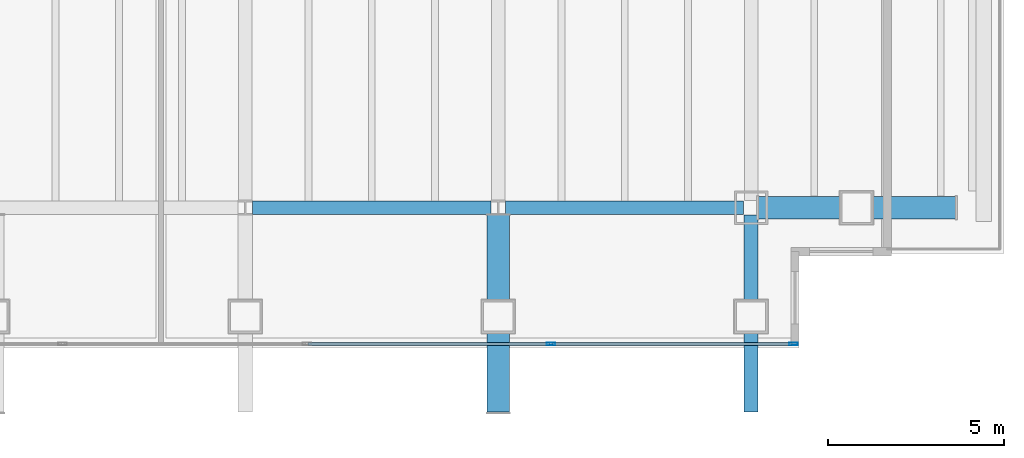
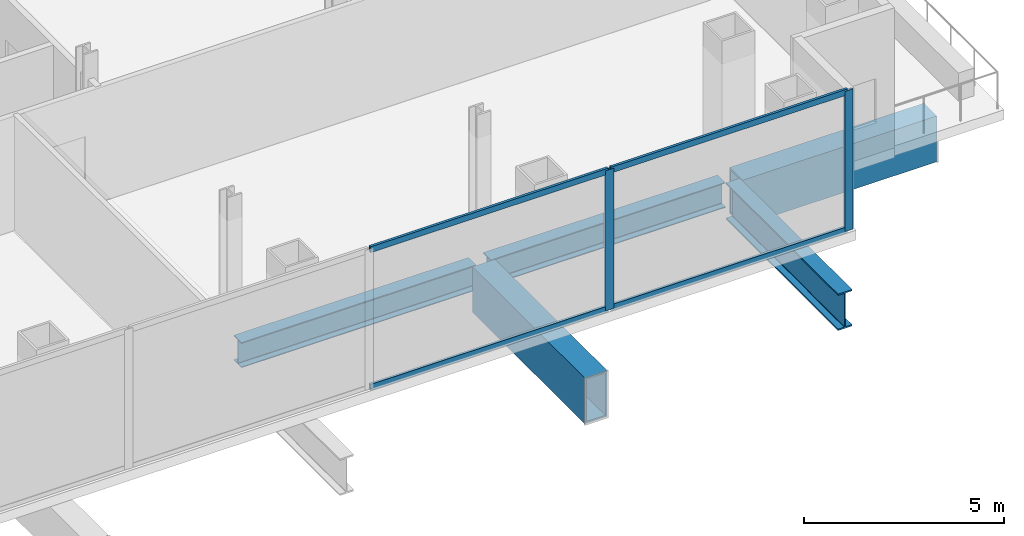
# One storey, part 6 of 16: 6 members, 5 beams, 1 element without a shape of its own.
"""IFC4 building model written with IfcOpenShell, lengths in metres."""

import ifcopenshell
import ifcopenshell.guid

model = None  # the IFC model being written
_history = None  # IfcOwnerHistory: only IFC2X3 demands one
_inside = {}  # id of a spatial element -> (the spatial element, [elements in it])
_under = {}  # id of a project, library or spatial element -> (it, [spatial elements below it])
_declared = {}  # id of a project -> (the project, [libraries it declares])
_typed = {}  # id of a type object -> (the type object, [elements of that type])
_made_of = {}  # id of a material, layer set ... -> (it, [elements and type objects made of it])


def new_model(schema):
    """Start an empty IFC model of exactly this schema.

    Asked for "IFC4X3", IfcOpenShell would pick the latest addendum, in which some entities
    have other attributes; the version numbers below select the first issue.
    IFC2X3 requires an IfcOwnerHistory on every rooted entity: one is made here for all.
    """
    global model, _history
    if schema == "IFC4X3":
        model = ifcopenshell.file(schema_version=(4, 3, 0, 0))
    else:
        model = ifcopenshell.file(schema=schema)
    _inside.clear()
    _under.clear()
    _declared.clear()
    _typed.clear()
    _made_of.clear()
    _history = None
    if model.schema == "IFC2X3":
        org = make("IfcOrganization", Name="unknown")
        user = make(
            "IfcPersonAndOrganization",
            ThePerson=make("IfcPerson", FamilyName="unknown"),
            TheOrganization=org,
        )
        app = make(
            "IfcApplication",
            ApplicationDeveloper=org,
            Version="unknown",
            ApplicationFullName="unknown",
            ApplicationIdentifier="unknown",
        )
        _history = make(
            "IfcOwnerHistory",
            OwningUser=user,
            OwningApplication=app,
            ChangeAction="ADDED",
            CreationDate=0,
        )
    return model


def make(cls, **values):
    """One entity of the class cls with the attributes given. An attribute that is None is left unset."""
    return model.create_entity(
        cls, **{name: value for name, value in values.items() if value is not None}
    )


def rooted(cls, **values):
    """An entity with a GlobalId (a new one), such as an element, a storey or a relation."""
    return make(cls, GlobalId=ifcopenshell.guid.new(), OwnerHistory=_history, **values)


def si_unit(unit_type, name, prefix=None):
    """IfcSIUnit, for example si_unit("LENGTHUNIT", "METRE", prefix="MILLI")."""
    return make("IfcSIUnit", UnitType=unit_type, Prefix=prefix, Name=name)


def assignment(units):
    """IfcUnitAssignment: the units of a project."""
    return None if units is None else make("IfcUnitAssignment", Units=units)


def point(xyz):
    """IfcCartesianPoint."""
    return None if xyz is None else make("IfcCartesianPoint", Coordinates=xyz)


def direction(xyz):
    """IfcDirection."""
    return None if xyz is None else make("IfcDirection", DirectionRatios=xyz)


def frame(location, z_axis=None, x_axis=None):
    """IfcAxis2Placement3D, a coordinate frame: its origin and axes. An axis left out is left unset."""
    return make(
        "IfcAxis2Placement3D",
        Location=point(location),
        Axis=direction(z_axis),
        RefDirection=direction(x_axis),
    )


def frame_2d(location, x_axis=None):
    """IfcAxis2Placement2D, a coordinate frame in the plane: its origin and x axis."""
    return make(
        "IfcAxis2Placement2D", Location=point(location), RefDirection=direction(x_axis)
    )


def origin():
    """The frame at (0, 0, 0) with its axes left unset."""
    return frame((0.0, 0.0, 0.0))


def origin_2d():
    """The frame at (0, 0) in the plane with its x axis left unset."""
    return frame_2d((0.0, 0.0))


def place(relative_to, where):
    """IfcLocalPlacement: puts the frame where relative to a parent placement (None: the world)."""
    return make(
        "IfcLocalPlacement", PlacementRelTo=relative_to, RelativePlacement=where
    )


def context(
    kind, dimensions, precision=None, world=None, true_north=None, identifier=None
):
    """IfcGeometricRepresentationContext, for example the 3D "Model" context."""
    return make(
        "IfcGeometricRepresentationContext",
        ContextIdentifier=identifier,
        ContextType=kind,
        CoordinateSpaceDimension=dimensions,
        Precision=precision,
        WorldCoordinateSystem=world,
        TrueNorth=true_north,
    )


def subcontext(parent, identifier, kind, view, scale=None):
    """IfcGeometricRepresentationSubContext, for example "Body" below "Model"."""
    return make(
        "IfcGeometricRepresentationSubContext",
        ContextIdentifier=identifier,
        ContextType=kind,
        ParentContext=parent,
        TargetScale=scale,
        TargetView=view,
    )


def project(units=None, contexts=None):
    """IfcProject with its units and contexts."""
    return rooted(
        "IfcProject",
        Name="project",
        RepresentationContexts=contexts,
        UnitsInContext=assignment(units),
    )


def spatial(cls, under=None, at=None, **own):
    """A site, building, storey or space (cls), placed at a placement, below another one or the project."""
    s = rooted(cls, ObjectPlacement=at, **own)
    if under is not None:
        _under.setdefault(under.id(), (under, []))[1].append(s)
    return s


def profile(cls, at=None, kind="AREA", **sizes):
    """A parametric profile (cls). Its sizes go by their IFC names, for example OverallWidth=200.0."""
    return make(cls, ProfileType=kind, Position=at, **sizes)


def hollow_rectangle(**sizes):
    """IfcRectangleHollowProfileDef."""
    return profile("IfcRectangleHollowProfileDef", **sizes)


def i_section(**sizes):
    """IfcIShapeProfileDef."""
    return profile("IfcIShapeProfileDef", **sizes)


def extrude(swept, where, along, depth):
    """IfcExtrudedAreaSolid: the profile swept, set in the frame where, extruded along a direction by depth."""
    return make(
        "IfcExtrudedAreaSolid",
        SweptArea=swept,
        Position=where,
        ExtrudedDirection=direction(along),
        Depth=depth,
    )


def shape(context_of_items, identifier, shape_type, items):
    """IfcShapeRepresentation: the items that make up one representation, for example the "Body"."""
    return make(
        "IfcShapeRepresentation",
        ContextOfItems=context_of_items,
        RepresentationIdentifier=identifier,
        RepresentationType=shape_type,
        Items=items,
    )


def material(Name=None, Category=None):
    """IfcMaterial."""
    return make("IfcMaterial", Name=Name, Category=Category)


def material_profile(
    of_material, cross_section, Name=None, Category=None, Priority=None
):
    """IfcMaterialProfile: a cross section and its material."""
    return make(
        "IfcMaterialProfile",
        Name=Name,
        Material=of_material,
        Profile=cross_section,
        Priority=Priority,
        Category=Category,
    )


def profile_set(profiles, Name=None, composite=None):
    """IfcMaterialProfileSet."""
    return make(
        "IfcMaterialProfileSet",
        Name=Name,
        MaterialProfiles=profiles,
        CompositeProfile=composite,
    )


def made_of(thing, what):
    """Note that an element or type object is made of a material, layer set ...; save() writes the relation."""
    if what is not None:
        _made_of.setdefault(what.id(), (what, []))[1].append(thing)
    return thing


def type_object(cls, material=None, **own):
    """A type object (cls), such as IfcWallType, which elements share."""
    return made_of(rooted(cls, **own), material)


def element(
    cls,
    number,
    at=None,
    inside=None,
    cuts=None,
    type_object=None,
    material=None,
    context=None,
    identifier="Body",
    shape_type=None,
    held_by="IfcProductDefinitionShape",
    body=None,
    shapes=None,
    **own,
):
    """One element of the class cls, such as IfcWall. Its Tag is "e" and its number.

    at: its placement. inside: the storey or other place that contains it. cuts: it is an
    opening in that element (IfcRelVoidsElement). A single representation is given by context,
    identifier, shape_type and body (its items); several are given by shapes. held_by: the class
    of the entity that holds the representations. save() writes the other relations.
    """
    e = rooted(cls, Tag="e%d" % number, ObjectPlacement=at, **own)
    if body is not None:
        shapes = [shape(context, identifier, shape_type, body)]
    if shapes is not None:
        e.Representation = make(held_by, Representations=shapes)
    if inside is not None:
        _inside.setdefault(inside.id(), (inside, []))[1].append(e)
    if cuts is not None:
        rooted(
            "IfcRelVoidsElement", RelatingBuildingElement=cuts, RelatedOpeningElement=e
        )
    if type_object is not None:
        _typed.setdefault(type_object.id(), (type_object, []))[1].append(e)
    return made_of(e, material)


def aggregate(whole, parts):
    """IfcRelAggregates: a whole, such as a stair, and the parts it consists of."""
    return rooted("IfcRelAggregates", RelatingObject=whole, RelatedObjects=parts)


def save(model, path):
    """Write the relations noted so far, then the file.

    IfcRelAggregates (storeys below a building ...), IfcRelContainedInSpatialStructure (elements
    in a storey), IfcRelDefinesByType, IfcRelAssociatesMaterial and IfcRelDeclares: one each for
    every whole, place, type object, material and project.
    """
    for whole, parts in _under.values():
        aggregate(whole, parts)
    for where, things in _inside.values():
        rooted(
            "IfcRelContainedInSpatialStructure",
            RelatedElements=things,
            RelatingStructure=where,
        )
    for kind, things in _typed.values():
        rooted("IfcRelDefinesByType", RelatedObjects=things, RelatingType=kind)
    for what, things in _made_of.values():
        rooted("IfcRelAssociatesMaterial", RelatedObjects=things, RelatingMaterial=what)
    for by, libraries in _declared.values():
        rooted("IfcRelDeclares", RelatingContext=by, RelatedDefinitions=libraries)
    model.write(path)


model = new_model("IFC4")

# Units and contexts
model_context = context("Model", 3, precision=1e-05, world=origin(), true_north=direction((0.0, 1.0)))
body_context = subcontext(model_context, "Body", "Model", "MODEL_VIEW")
ifc_project = project(units=[si_unit("LENGTHUNIT", "METRE"), si_unit("AREAUNIT", "SQUARE_METRE"), si_unit("VOLUMEUNIT", "CUBIC_METRE"), si_unit("PLANEANGLEUNIT", "RADIAN"), si_unit("MASSUNIT", "GRAM", prefix="KILO")], contexts=[model_context])

# Site, building, storey
site_placement = place(None, origin())
site = spatial("IfcSite", under=ifc_project, at=site_placement, CompositionType="ELEMENT")
building_placement = place(site_placement, origin())
building = spatial("IfcBuilding", under=site, at=building_placement, Name="Cobrela Telecom Tower", CompositionType="ELEMENT")
storey_placement = place(building_placement, frame((0.0, 0.0, 97.64990234375)))
storey = spatial("IfcBuildingStorey", under=building, at=storey_placement, Name="L24", CompositionType="ELEMENT", Elevation=97.64990234375)

# Beams
ifc_material_1 = material(Name="Steel ASTM A992 Grade 50", Category="steel")
ifc_material_profile_1 = material_profile(ifc_material_1, i_section(OverallWidth=0.381103515625, OverallDepth=0.77197265625, WebThickness=0.0166015625, FlangeThickness=0.027099609375, FilletRadius=0.01904296875, at=origin_2d()), Name="W30X173")
ifc_profile_set_1 = profile_set([ifc_material_profile_1], Name="Steel ASTM A992 Grade 50")
beam_type_1 = type_object("IfcBeamType", Name="BM-GIRD-04", PredefinedType="USERDEFINED", material=ifc_profile_set_1)
for number, where, z_axis, x_axis, name in (
    (1, (29.009521484375, 7.199951171875, -0.685791015625), (1.0, 0.0, 0.0), (0.0, 1.0, 0.0), "L24 Primary Girder X05"),
    (2, (36.20947265625, 7.199951171875, -0.685791015625), (1.0, 0.0, 0.0), (0.0, 1.0, 0.0), "L24 Primary Girder X06"),
):
    element("IfcBeam", number, at=place(storey_placement, frame(where, z_axis=z_axis, x_axis=x_axis)), inside=storey, type_object=beam_type_1, Name=name, ObjectType="GIRDER", PredefinedType="USERDEFINED", context=body_context, shape_type="SweptSolid", body=[
        extrude(i_section(OverallWidth=0.381103515625, OverallDepth=0.77197265625, WebThickness=0.0166015625, FlangeThickness=0.027099609375, FilletRadius=0.01904296875, at=origin_2d()), origin(), (0.0, 0.0, 1.0), 6.781005859375),
    ])
ifc_material_2 = material(Name="Steel ASTM A572 Grade 50", Category="steel")
ifc_material_profile_2 = material_profile(ifc_material_2, hollow_rectangle(XDim=0.64990234375, YDim=1.39990234375, WallThickness=0.054931640625, at=origin_2d()), Name="BOX 1400x650x55")
ifc_profile_set_2 = profile_set([ifc_material_profile_2], Name="Steel ASTM A572 Grade 50")
beam_type_2 = type_object("IfcBeamType", Name="BM-TRG-1400", PredefinedType="USERDEFINED", material=ifc_profile_set_2)
for number, where, z_axis, x_axis, name in (
    (3, (36.0, 1.3798828125, -1.0), (0.0, 1.0, 0.0), (-1.0, 0.0, 0.0), "L24 Transfer Girder 07"),
    (4, (43.409423828125, 7.199951171875, -1.0), (1.0, 0.0, 0.0), (0.0, 1.0, 0.0), "L24 Transfer Girder 09"),
):
    element("IfcBeam", number, at=place(storey_placement, frame(where, z_axis=z_axis, x_axis=x_axis)), inside=storey, type_object=beam_type_2, Name=name, ObjectType="GIRDER", PredefinedType="USERDEFINED", context=body_context, shape_type="SweptSolid", body=[
        extrude(hollow_rectangle(XDim=0.64990234375, YDim=1.39990234375, WallThickness=0.054931640625, at=origin_2d()), origin(), (0.0, 0.0, 1.0), 5.610595703125),
    ])
ifc_material_profile_3 = material_profile(ifc_material_1, i_section(OverallWidth=0.404052734375, OverallDepth=1.117919921875, WebThickness=0.02587890625, FlangeThickness=0.044921875, FilletRadius=0.02490234375, at=origin_2d()), Name="W44X335")
ifc_profile_set_3 = profile_set([ifc_material_profile_3], Name="Steel ASTM A992 Grade 50")
beam_type_3 = type_object("IfcBeamType", Name="BM-TRG-W44", PredefinedType="USERDEFINED", material=ifc_profile_set_3)
beam_placement = place(storey_placement, frame((43.199951171875, 1.3798828125, -0.85888671875), z_axis=(0.0, 1.0, 0.0), x_axis=(-1.0, 0.0, 0.0)))
element("IfcBeam", 5, at=beam_placement, inside=storey, type_object=beam_type_3, Name="L24 Transfer Girder 08", ObjectType="GIRDER", PredefinedType="USERDEFINED", context=body_context, shape_type="SweptSolid", body=[
    extrude(i_section(OverallWidth=0.404052734375, OverallDepth=1.117919921875, WebThickness=0.02587890625, FlangeThickness=0.044921875, FilletRadius=0.02490234375, at=origin_2d()), origin(), (0.0, 0.0, 1.0), 5.610595703125),
])

# Curtain wall, members
ifc_material_3 = material(Name="Anodized Bronze Aluminium 6063-T6", Category="aluminium")
curtain_wall_type = type_object("IfcCurtainWallType", Name="CW-SYS-SKY", PredefinedType="USERDEFINED", material=ifc_material_3)
curtain_wall_placement = place(storey_placement, origin())
curtain_wall = element("IfcCurtainWall", 6, at=curtain_wall_placement, inside=storey, type_object=curtain_wall_type, Name="L24 Unitised Bronze Curtain Wall 17", ObjectType="UNITISED CURTAIN WALL", PredefinedType="USERDEFINED")
ifc_material_profile_4 = material_profile(ifc_material_3, hollow_rectangle(XDim=0.080078125, YDim=0.239990234375, WallThickness=0.0048828125, at=origin_2d()), Name="ALU 80x240x5")
ifc_profile_set_4 = profile_set([ifc_material_profile_4], Name="Anodized Bronze Aluminium 6063-T6")
member_type_1 = type_object("IfcMemberType", Name="CW-SYS-SKY-MUL", PredefinedType="MULLION", material=ifc_profile_set_4)
member_1_placement = place(storey_placement, frame((44.409912109375, 3.320068359375, 0.0), z_axis=(0.0, 0.0, 1.0), x_axis=(0.0, -1.0, 0.0)))
member_1 = element("IfcMember", 7, at=member_1_placement, type_object=member_type_1, Name="CW-SKY mullion 1", PredefinedType="MULLION", context=body_context, shape_type="SweptSolid", body=[
    extrude(hollow_rectangle(XDim=0.080078125, YDim=0.239990234375, WallThickness=0.0048828125, at=origin_2d()), origin(), (0.0, 0.0, 1.0), 4.280029296875),
])
member_2_placement = place(storey_placement, frame((37.5, 3.320068359375, 0.0), z_axis=(0.0, 0.0, 1.0), x_axis=(0.0, -1.0, 0.0)))
member_2 = element("IfcMember", 8, at=member_2_placement, type_object=member_type_1, Name="CW-SKY mullion 2", PredefinedType="MULLION", context=body_context, shape_type="SweptSolid", body=[
    extrude(hollow_rectangle(XDim=0.080078125, YDim=0.239990234375, WallThickness=0.0048828125, at=origin_2d()), origin(), (0.0, 0.0, 1.0), 4.280029296875),
])
ifc_material_profile_5 = material_profile(ifc_material_3, hollow_rectangle(XDim=0.074951171875, YDim=0.179931640625, WallThickness=0.00390625, at=origin_2d()), Name="ALU 75x180x4")
ifc_profile_set_5 = profile_set([ifc_material_profile_5], Name="Anodized Bronze Aluminium 6063-T6")
member_type_2 = type_object("IfcMemberType", Name="CW-SYS-SKY-TRN", PredefinedType="USERDEFINED", material=ifc_profile_set_5)
member_3_placement = place(storey_placement, frame((44.3701171875, 3.320068359375, 0.03759765625), z_axis=(-1.0, 0.0, 0.0), x_axis=(0.0, -1.0, 0.0)))
member_3 = element("IfcMember", 9, at=member_3_placement, type_object=member_type_2, Name="CW-SKY transom 1.1", ObjectType="TRANSOM", PredefinedType="USERDEFINED", context=body_context, shape_type="SweptSolid", body=[
    extrude(hollow_rectangle(XDim=0.074951171875, YDim=0.179931640625, WallThickness=0.00390625, at=origin_2d()), origin(), (0.0, 0.0, 1.0), 6.830078125),
])
member_4_placement = place(storey_placement, frame((44.3701171875, 3.320068359375, 4.24267578125), z_axis=(-1.0, 0.0, 0.0), x_axis=(0.0, -1.0, 0.0)))
member_4 = element("IfcMember", 10, at=member_4_placement, type_object=member_type_2, Name="CW-SKY transom 1.2", ObjectType="TRANSOM", PredefinedType="USERDEFINED", context=body_context, shape_type="SweptSolid", body=[
    extrude(hollow_rectangle(XDim=0.074951171875, YDim=0.179931640625, WallThickness=0.00390625, at=origin_2d()), origin(), (0.0, 0.0, 1.0), 6.830078125),
])
member_5_placement = place(storey_placement, frame((37.4599609375, 3.320068359375, 0.03759765625), z_axis=(-1.0, 0.0, 0.0), x_axis=(0.0, -1.0, 0.0)))
member_5 = element("IfcMember", 11, at=member_5_placement, type_object=member_type_2, Name="CW-SKY transom 2.1", ObjectType="TRANSOM", PredefinedType="USERDEFINED", context=body_context, shape_type="SweptSolid", body=[
    extrude(hollow_rectangle(XDim=0.074951171875, YDim=0.179931640625, WallThickness=0.00390625, at=origin_2d()), origin(), (0.0, 0.0, 1.0), 6.869873046875),
])
member_6_placement = place(storey_placement, frame((37.4599609375, 3.320068359375, 4.24267578125), z_axis=(-1.0, 0.0, 0.0), x_axis=(0.0, -1.0, 0.0)))
member_6 = element("IfcMember", 12, at=member_6_placement, type_object=member_type_2, Name="CW-SKY transom 2.2", ObjectType="TRANSOM", PredefinedType="USERDEFINED", context=body_context, shape_type="SweptSolid", body=[
    extrude(hollow_rectangle(XDim=0.074951171875, YDim=0.179931640625, WallThickness=0.00390625, at=origin_2d()), origin(), (0.0, 0.0, 1.0), 6.869873046875),
])
aggregate(curtain_wall, [member_1, member_2, member_3, member_4, member_5, member_6])

save(model, "model.ifc")
